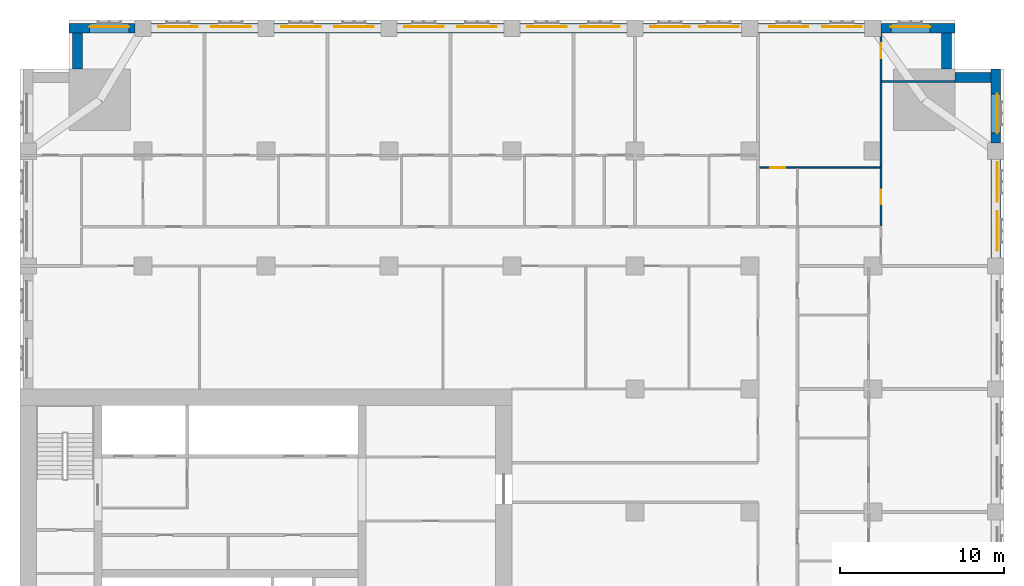
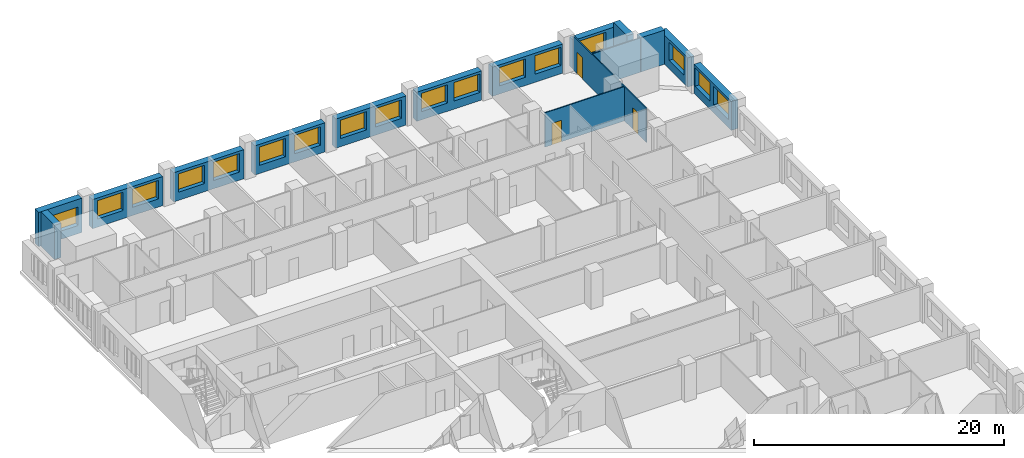
# One storey, part 11 of 14: 17 windows, 16 walls, 3 doors, 20 openings.
"""IFC4 building model written with IfcOpenShell, lengths in metres."""

from ifc_helpers import new_model, si_unit, direction, frame, frame_2d, origin, place, context, subcontext, project, spatial, rectangle, extrude, material, layer, layer_set, type_object, element, fill, save


model = new_model("IFC4")

# Units and contexts
model_context = context("Model", 3, precision=1e-05, world=origin(), true_north=direction((0.0, 1.0)))
body_context = subcontext(model_context, "Body", "Model", "MODEL_VIEW")
ifc_project = project(units=[si_unit("LENGTHUNIT", "METRE"), si_unit("AREAUNIT", "SQUARE_METRE"), si_unit("VOLUMEUNIT", "CUBIC_METRE"), si_unit("PLANEANGLEUNIT", "RADIAN"), si_unit("MASSUNIT", "GRAM", prefix="KILO")], contexts=[model_context])

# Site, building, storey
site_placement = place(None, origin())
site = spatial("IfcSite", under=ifc_project, at=site_placement, CompositionType="ELEMENT")
building_placement = place(site_placement, origin())
building = spatial("IfcBuilding", under=site, at=building_placement, Name="Tamorin Gate", CompositionType="ELEMENT")
storey_placement = place(building_placement, frame((0.0, 0.0, 86.300048828125)))
storey = spatial("IfcBuildingStorey", under=building, at=storey_placement, Name="L20", CompositionType="ELEMENT", Elevation=86.300048828125)

# Wall, openings, windows
ifc_material_1 = material(Name="Precast concrete C40/50", Category="concrete")
ifc_layer_1 = layer(ifc_material_1, 0.60009765625)
ifc_layer_set_1 = layer_set([ifc_layer_1], Name="Precast concrete C40/50")
wall_type_1 = type_object("IfcWallType", Name="Board-marked concrete facade panel 600", PredefinedType="SOLIDWALL", material=ifc_layer_set_1)
wall_1_placement = place(storey_placement, frame((89.5, 90.5, 0.0), z_axis=(0.0, 0.0, 1.0), x_axis=(0.0, 1.0, 0.0)))
wall_1 = element("IfcWall", 1, at=wall_1_placement, inside=storey, type_object=wall_type_1, Name="Facade panel", PredefinedType="SOLIDWALL", context=body_context, shape_type="SweptSolid", body=[
    extrude(rectangle(XDim=6.0, YDim=0.60009765625, at=frame_2d((3.0, 0.0))), origin(), (0.0, 0.0, 1.0), 2.849853515625),
])
opening_1_placement = place(wall_1_placement, frame((0.425048828125, 0.0, 0.800048828125)))
opening_1 = element("IfcOpeningElement", 2, at=opening_1_placement, cuts=wall_1, Name="Opening WN1", PredefinedType="OPENING", context=body_context, shape_type="SweptSolid", body=[
    extrude(rectangle(XDim=2.39990234375, YDim=1.800048828125, at=frame_2d((1.199951171875, 0.89990234375))), frame((0.0, 0.31005859375, 0.0), z_axis=(0.0, -1.0, 0.0), x_axis=(1.0, 0.0, 0.0)), (0.0, 0.0, 1.0), 0.6201171875),
])
opening_2_placement = place(wall_1_placement, frame((3.425048828125, 0.0, 0.800048828125)))
opening_2 = element("IfcOpeningElement", 3, at=opening_2_placement, cuts=wall_1, Name="Opening WN1", PredefinedType="OPENING", context=body_context, shape_type="SweptSolid", body=[
    extrude(rectangle(XDim=2.39990234375, YDim=1.800048828125, at=frame_2d((1.199951171875, 0.89990234375))), frame((0.0, 0.31005859375, 0.0), z_axis=(0.0, -1.0, 0.0), x_axis=(1.0, 0.0, 0.0)), (0.0, 0.0, 1.0), 0.6201171875),
])
ifc_material_2 = material(Name="Clear glass in aluminium frame", Category="aluminium")
window_type = type_object("IfcWindowType", Name="Deep-set window 2400x1800", PartitioningType="SINGLE_PANEL", PredefinedType="WINDOW", material=ifc_material_2)
window_1_placement = place(opening_1_placement, origin())
window_1 = element("IfcWindow", 4, at=window_1_placement, inside=storey, type_object=window_type, Name="Deep-set window", OverallHeight=1.800048828125, OverallWidth=2.39990234375, PartitioningType="SINGLE_PANEL", PredefinedType="WINDOW", context=body_context, shape_type="SweptSolid", body=[
    extrude(rectangle(XDim=2.39990234375, YDim=1.800048828125, at=frame_2d((1.199951171875, 0.89990234375))), frame((0.0, -0.070068359375, 0.0), z_axis=(0.0, -1.0, 0.0), x_axis=(1.0, 0.0, 0.0)), (0.0, 0.0, 1.0), 0.06005859375),
])
fill(opening_1, window_1)
window_2_placement = place(opening_2_placement, origin())
window_2 = element("IfcWindow", 5, at=window_2_placement, inside=storey, type_object=window_type, Name="Deep-set window", OverallHeight=1.800048828125, OverallWidth=2.39990234375, PartitioningType="SINGLE_PANEL", PredefinedType="WINDOW", context=body_context, shape_type="SweptSolid", body=[
    extrude(rectangle(XDim=2.39990234375, YDim=1.800048828125, at=frame_2d((1.199951171875, 0.89990234375))), frame((0.0, -0.070068359375, 0.0), z_axis=(0.0, -1.0, 0.0), x_axis=(1.0, 0.0, 0.0)), (0.0, 0.0, 1.0), 0.06005859375),
])
fill(opening_2, window_2)

# Wall, opening, window
wall_2_placement = place(storey_placement, frame((89.5, 97.5, 0.0), z_axis=(0.0, 0.0, 1.0), x_axis=(0.0, 1.0, 0.0)))
wall_2 = element("IfcWall", 6, at=wall_2_placement, inside=storey, type_object=wall_type_1, Name="Facade panel", PredefinedType="SOLIDWALL", context=body_context, shape_type="SweptSolid", body=[
    extrude(rectangle(XDim=4.5, YDim=0.60009765625, at=frame_2d((2.25, 0.0))), origin(), (0.0, 0.0, 1.0), 2.849853515625),
])
opening_3_placement = place(wall_2_placement, frame((0.60009765625, 0.0, 0.800048828125)))
opening_3 = element("IfcOpeningElement", 7, at=opening_3_placement, cuts=wall_2, Name="Opening WN1", PredefinedType="OPENING", context=body_context, shape_type="SweptSolid", body=[
    extrude(rectangle(XDim=2.39990234375, YDim=1.800048828125, at=frame_2d((1.199951171875, 0.89990234375))), frame((0.0, 0.31005859375, 0.0), z_axis=(0.0, -1.0, 0.0), x_axis=(1.0, 0.0, 0.0)), (0.0, 0.0, 1.0), 0.6201171875),
])
window_3_placement = place(opening_3_placement, origin())
window_3 = element("IfcWindow", 8, at=window_3_placement, inside=storey, type_object=window_type, Name="Deep-set window", OverallHeight=1.800048828125, OverallWidth=2.39990234375, PartitioningType="SINGLE_PANEL", PredefinedType="WINDOW", context=body_context, shape_type="SweptSolid", body=[
    extrude(rectangle(XDim=2.39990234375, YDim=1.800048828125, at=frame_2d((1.199951171875, 0.89990234375))), frame((0.0, -0.070068359375, 0.0), z_axis=(0.0, -1.0, 0.0), x_axis=(1.0, 0.0, 0.0)), (0.0, 0.0, 1.0), 0.06005859375),
])
fill(opening_3, window_3)

# Walls
for number, where, z_axis, x_axis, name in (
    (9, (89.199951171875, 101.5, 0.0), (0.0, 0.0, 1.0), (-1.0, 0.0, 0.0), "Facade panel"),
    (10, (86.5, 102.0, 0.0), (0.0, 0.0, 1.0), (0.0, 1.0, 0.0), "Facade panel"),
):
    element("IfcWall", number, at=place(storey_placement, frame(where, z_axis=z_axis, x_axis=x_axis)), inside=storey, type_object=wall_type_1, Name=name, PredefinedType="SOLIDWALL", context=body_context, shape_type="SweptSolid", body=[
        extrude(rectangle(XDim=2.199951171875, YDim=0.60009765625, at=frame_2d((1.10009765625, 0.0))), origin(), (0.0, 0.0, 1.0), 3.349853515625),
    ])

# Wall, opening, window
wall_3_placement = place(storey_placement, frame((87.0, 104.5, 0.0), z_axis=(0.0, 0.0, 1.0), x_axis=(-1.0, 0.0, 0.0)))
wall_3 = element("IfcWall", 11, at=wall_3_placement, inside=storey, type_object=wall_type_1, Name="Facade panel", PredefinedType="SOLIDWALL", context=body_context, shape_type="SweptSolid", body=[
    extrude(rectangle(XDim=4.5, YDim=0.60009765625, at=frame_2d((2.25, 0.0))), origin(), (0.0, 0.0, 1.0), 2.849853515625),
])
opening_4_placement = place(wall_3_placement, frame((1.5, 0.0, 0.800048828125)))
opening_4 = element("IfcOpeningElement", 12, at=opening_4_placement, cuts=wall_3, Name="Opening WN1", PredefinedType="OPENING", context=body_context, shape_type="SweptSolid", body=[
    extrude(rectangle(XDim=2.39990234375, YDim=1.800048828125, at=frame_2d((1.199951171875, 0.89990234375))), frame((0.0, 0.31005859375, 0.0), z_axis=(0.0, -1.0, 0.0), x_axis=(1.0, 0.0, 0.0)), (0.0, 0.0, 1.0), 0.6201171875),
])
window_4_placement = place(opening_4_placement, origin())
window_4 = element("IfcWindow", 13, at=window_4_placement, inside=storey, type_object=window_type, Name="Deep-set window", OverallHeight=1.800048828125, OverallWidth=2.39990234375, PartitioningType="SINGLE_PANEL", PredefinedType="WINDOW", context=body_context, shape_type="SweptSolid", body=[
    extrude(rectangle(XDim=2.39990234375, YDim=1.800048828125, at=frame_2d((1.199951171875, 0.89990234375))), frame((0.0, -0.070068359375, 0.0), z_axis=(0.0, -1.0, 0.0), x_axis=(1.0, 0.0, 0.0)), (0.0, 0.0, 1.0), 0.06005859375),
])
fill(opening_4, window_4)

# Wall, openings, windows
wall_4_placement = place(storey_placement, frame((81.5, 104.5, 0.0), z_axis=(0.0, 0.0, 1.0), x_axis=(-1.0, 0.0, 0.0)))
wall_4 = element("IfcWall", 14, at=wall_4_placement, inside=storey, type_object=wall_type_1, Name="Facade panel", PredefinedType="SOLIDWALL", context=body_context, shape_type="SweptSolid", body=[
    extrude(rectangle(XDim=6.5, YDim=0.60009765625, at=frame_2d((3.25, 0.0))), origin(), (0.0, 0.0, 1.0), 2.849853515625),
])
opening_5_placement = place(wall_4_placement, frame((3.425048828125, 0.0, 0.800048828125)))
opening_5 = element("IfcOpeningElement", 15, at=opening_5_placement, cuts=wall_4, Name="Opening WN1", PredefinedType="OPENING", context=body_context, shape_type="SweptSolid", body=[
    extrude(rectangle(XDim=2.39990234375, YDim=1.800048828125, at=frame_2d((1.199951171875, 0.89990234375))), frame((0.0, 0.31005859375, 0.0), z_axis=(0.0, -1.0, 0.0), x_axis=(1.0, 0.0, 0.0)), (0.0, 0.0, 1.0), 0.6201171875),
])
opening_6_placement = place(wall_4_placement, frame((0.175048828125, 0.0, 0.800048828125)))
opening_6 = element("IfcOpeningElement", 16, at=opening_6_placement, cuts=wall_4, Name="Opening WN1", PredefinedType="OPENING", context=body_context, shape_type="SweptSolid", body=[
    extrude(rectangle(XDim=2.39990234375, YDim=1.800048828125, at=frame_2d((1.199951171875, 0.89990234375))), frame((0.0, 0.31005859375, 0.0), z_axis=(0.0, -1.0, 0.0), x_axis=(1.0, 0.0, 0.0)), (0.0, 0.0, 1.0), 0.6201171875),
])
window_5_placement = place(opening_5_placement, origin())
window_5 = element("IfcWindow", 17, at=window_5_placement, inside=storey, type_object=window_type, Name="Deep-set window", OverallHeight=1.800048828125, OverallWidth=2.39990234375, PartitioningType="SINGLE_PANEL", PredefinedType="WINDOW", context=body_context, shape_type="SweptSolid", body=[
    extrude(rectangle(XDim=2.39990234375, YDim=1.800048828125, at=frame_2d((1.199951171875, 0.89990234375))), frame((0.0, -0.070068359375, 0.0), z_axis=(0.0, -1.0, 0.0), x_axis=(1.0, 0.0, 0.0)), (0.0, 0.0, 1.0), 0.06005859375),
])
fill(opening_5, window_5)
window_6_placement = place(opening_6_placement, origin())
window_6 = element("IfcWindow", 18, at=window_6_placement, inside=storey, type_object=window_type, Name="Deep-set window", OverallHeight=1.800048828125, OverallWidth=2.39990234375, PartitioningType="SINGLE_PANEL", PredefinedType="WINDOW", context=body_context, shape_type="SweptSolid", body=[
    extrude(rectangle(XDim=2.39990234375, YDim=1.800048828125, at=frame_2d((1.199951171875, 0.89990234375))), frame((0.0, -0.070068359375, 0.0), z_axis=(0.0, -1.0, 0.0), x_axis=(1.0, 0.0, 0.0)), (0.0, 0.0, 1.0), 0.06005859375),
])
fill(opening_6, window_6)

wall_5_placement = place(storey_placement, frame((74.0, 104.5, 0.0), z_axis=(0.0, 0.0, 1.0), x_axis=(-1.0, 0.0, 0.0)))
wall_5 = element("IfcWall", 19, at=wall_5_placement, inside=storey, type_object=wall_type_1, Name="Facade panel", PredefinedType="SOLIDWALL", context=body_context, shape_type="SweptSolid", body=[
    extrude(rectangle(XDim=6.0, YDim=0.60009765625, at=frame_2d((3.0, 0.0))), origin(), (0.0, 0.0, 1.0), 2.849853515625),
])
opening_7_placement = place(wall_5_placement, frame((3.175048828125, 0.0, 0.800048828125)))
opening_7 = element("IfcOpeningElement", 20, at=opening_7_placement, cuts=wall_5, Name="Opening WN1", PredefinedType="OPENING", context=body_context, shape_type="SweptSolid", body=[
    extrude(rectangle(XDim=2.39990234375, YDim=1.800048828125, at=frame_2d((1.199951171875, 0.89990234375))), frame((0.0, 0.31005859375, 0.0), z_axis=(0.0, -1.0, 0.0), x_axis=(1.0, 0.0, 0.0)), (0.0, 0.0, 1.0), 0.6201171875),
])
opening_8_placement = place(wall_5_placement, frame((0.175048828125, 0.0, 0.800048828125)))
opening_8 = element("IfcOpeningElement", 21, at=opening_8_placement, cuts=wall_5, Name="Opening WN1", PredefinedType="OPENING", context=body_context, shape_type="SweptSolid", body=[
    extrude(rectangle(XDim=2.39990234375, YDim=1.800048828125, at=frame_2d((1.199951171875, 0.89990234375))), frame((0.0, 0.31005859375, 0.0), z_axis=(0.0, -1.0, 0.0), x_axis=(1.0, 0.0, 0.0)), (0.0, 0.0, 1.0), 0.6201171875),
])
window_7_placement = place(opening_7_placement, origin())
window_7 = element("IfcWindow", 22, at=window_7_placement, inside=storey, type_object=window_type, Name="Deep-set window", OverallHeight=1.800048828125, OverallWidth=2.39990234375, PartitioningType="SINGLE_PANEL", PredefinedType="WINDOW", context=body_context, shape_type="SweptSolid", body=[
    extrude(rectangle(XDim=2.39990234375, YDim=1.800048828125, at=frame_2d((1.199951171875, 0.89990234375))), frame((0.0, -0.070068359375, 0.0), z_axis=(0.0, -1.0, 0.0), x_axis=(1.0, 0.0, 0.0)), (0.0, 0.0, 1.0), 0.06005859375),
])
fill(opening_7, window_7)
window_8_placement = place(opening_8_placement, origin())
window_8 = element("IfcWindow", 23, at=window_8_placement, inside=storey, type_object=window_type, Name="Deep-set window", OverallHeight=1.800048828125, OverallWidth=2.39990234375, PartitioningType="SINGLE_PANEL", PredefinedType="WINDOW", context=body_context, shape_type="SweptSolid", body=[
    extrude(rectangle(XDim=2.39990234375, YDim=1.800048828125, at=frame_2d((1.199951171875, 0.89990234375))), frame((0.0, -0.070068359375, 0.0), z_axis=(0.0, -1.0, 0.0), x_axis=(1.0, 0.0, 0.0)), (0.0, 0.0, 1.0), 0.06005859375),
])
fill(opening_8, window_8)

wall_6_placement = place(storey_placement, frame((67.0, 104.5, 0.0), z_axis=(0.0, 0.0, 1.0), x_axis=(-1.0, 0.0, 0.0)))
wall_6 = element("IfcWall", 24, at=wall_6_placement, inside=storey, type_object=wall_type_1, Name="Facade panel", PredefinedType="SOLIDWALL", context=body_context, shape_type="SweptSolid", body=[
    extrude(rectangle(XDim=6.5, YDim=0.60009765625, at=frame_2d((3.25, 0.0))), origin(), (0.0, 0.0, 1.0), 2.849853515625),
])
opening_9_placement = place(wall_6_placement, frame((3.675048828125, 0.0, 0.800048828125)))
opening_9 = element("IfcOpeningElement", 25, at=opening_9_placement, cuts=wall_6, Name="Opening WN1", PredefinedType="OPENING", context=body_context, shape_type="SweptSolid", body=[
    extrude(rectangle(XDim=2.39990234375, YDim=1.800048828125, at=frame_2d((1.199951171875, 0.89990234375))), frame((0.0, 0.31005859375, 0.0), z_axis=(0.0, -1.0, 0.0), x_axis=(1.0, 0.0, 0.0)), (0.0, 0.0, 1.0), 0.6201171875),
])
opening_10_placement = place(wall_6_placement, frame((0.425048828125, 0.0, 0.800048828125)))
opening_10 = element("IfcOpeningElement", 26, at=opening_10_placement, cuts=wall_6, Name="Opening WN1", PredefinedType="OPENING", context=body_context, shape_type="SweptSolid", body=[
    extrude(rectangle(XDim=2.39990234375, YDim=1.800048828125, at=frame_2d((1.199951171875, 0.89990234375))), frame((0.0, 0.31005859375, 0.0), z_axis=(0.0, -1.0, 0.0), x_axis=(1.0, 0.0, 0.0)), (0.0, 0.0, 1.0), 0.6201171875),
])
window_9_placement = place(opening_9_placement, origin())
window_9 = element("IfcWindow", 27, at=window_9_placement, inside=storey, type_object=window_type, Name="Deep-set window", OverallHeight=1.800048828125, OverallWidth=2.39990234375, PartitioningType="SINGLE_PANEL", PredefinedType="WINDOW", context=body_context, shape_type="SweptSolid", body=[
    extrude(rectangle(XDim=2.39990234375, YDim=1.800048828125, at=frame_2d((1.199951171875, 0.89990234375))), frame((0.0, -0.070068359375, 0.0), z_axis=(0.0, -1.0, 0.0), x_axis=(1.0, 0.0, 0.0)), (0.0, 0.0, 1.0), 0.06005859375),
])
fill(opening_9, window_9)
window_10_placement = place(opening_10_placement, origin())
window_10 = element("IfcWindow", 28, at=window_10_placement, inside=storey, type_object=window_type, Name="Deep-set window", OverallHeight=1.800048828125, OverallWidth=2.39990234375, PartitioningType="SINGLE_PANEL", PredefinedType="WINDOW", context=body_context, shape_type="SweptSolid", body=[
    extrude(rectangle(XDim=2.39990234375, YDim=1.800048828125, at=frame_2d((1.199951171875, 0.89990234375))), frame((0.0, -0.070068359375, 0.0), z_axis=(0.0, -1.0, 0.0), x_axis=(1.0, 0.0, 0.0)), (0.0, 0.0, 1.0), 0.06005859375),
])
fill(opening_10, window_10)

wall_7_placement = place(storey_placement, frame((59.5, 104.5, 0.0), z_axis=(0.0, 0.0, 1.0), x_axis=(-1.0, 0.0, 0.0)))
wall_7 = element("IfcWall", 29, at=wall_7_placement, inside=storey, type_object=wall_type_1, Name="Facade panel", PredefinedType="SOLIDWALL", context=body_context, shape_type="SweptSolid", body=[
    extrude(rectangle(XDim=6.5, YDim=0.60009765625, at=frame_2d((3.25, 0.0))), origin(), (0.0, 0.0, 1.0), 2.849853515625),
])
opening_11_placement = place(wall_7_placement, frame((3.675048828125, 0.0, 0.800048828125)))
opening_11 = element("IfcOpeningElement", 30, at=opening_11_placement, cuts=wall_7, Name="Opening WN1", PredefinedType="OPENING", context=body_context, shape_type="SweptSolid", body=[
    extrude(rectangle(XDim=2.39990234375, YDim=1.800048828125, at=frame_2d((1.199951171875, 0.89990234375))), frame((0.0, 0.31005859375, 0.0), z_axis=(0.0, -1.0, 0.0), x_axis=(1.0, 0.0, 0.0)), (0.0, 0.0, 1.0), 0.6201171875),
])
opening_12_placement = place(wall_7_placement, frame((0.425048828125, 0.0, 0.800048828125)))
opening_12 = element("IfcOpeningElement", 31, at=opening_12_placement, cuts=wall_7, Name="Opening WN1", PredefinedType="OPENING", context=body_context, shape_type="SweptSolid", body=[
    extrude(rectangle(XDim=2.39990234375, YDim=1.800048828125, at=frame_2d((1.199951171875, 0.89990234375))), frame((0.0, 0.31005859375, 0.0), z_axis=(0.0, -1.0, 0.0), x_axis=(1.0, 0.0, 0.0)), (0.0, 0.0, 1.0), 0.6201171875),
])
window_11_placement = place(opening_11_placement, origin())
window_11 = element("IfcWindow", 32, at=window_11_placement, inside=storey, type_object=window_type, Name="Deep-set window", OverallHeight=1.800048828125, OverallWidth=2.39990234375, PartitioningType="SINGLE_PANEL", PredefinedType="WINDOW", context=body_context, shape_type="SweptSolid", body=[
    extrude(rectangle(XDim=2.39990234375, YDim=1.800048828125, at=frame_2d((1.199951171875, 0.89990234375))), frame((0.0, -0.070068359375, 0.0), z_axis=(0.0, -1.0, 0.0), x_axis=(1.0, 0.0, 0.0)), (0.0, 0.0, 1.0), 0.06005859375),
])
fill(opening_11, window_11)
window_12_placement = place(opening_12_placement, origin())
window_12 = element("IfcWindow", 33, at=window_12_placement, inside=storey, type_object=window_type, Name="Deep-set window", OverallHeight=1.800048828125, OverallWidth=2.39990234375, PartitioningType="SINGLE_PANEL", PredefinedType="WINDOW", context=body_context, shape_type="SweptSolid", body=[
    extrude(rectangle(XDim=2.39990234375, YDim=1.800048828125, at=frame_2d((1.199951171875, 0.89990234375))), frame((0.0, -0.070068359375, 0.0), z_axis=(0.0, -1.0, 0.0), x_axis=(1.0, 0.0, 0.0)), (0.0, 0.0, 1.0), 0.06005859375),
])
fill(opening_12, window_12)

wall_8_placement = place(storey_placement, frame((52.0, 104.5, 0.0), z_axis=(0.0, 0.0, 1.0), x_axis=(-1.0, 0.0, 0.0)))
wall_8 = element("IfcWall", 34, at=wall_8_placement, inside=storey, type_object=wall_type_1, Name="Facade panel", PredefinedType="SOLIDWALL", context=body_context, shape_type="SweptSolid", body=[
    extrude(rectangle(XDim=6.5, YDim=0.60009765625, at=frame_2d((3.25, 0.0))), origin(), (0.0, 0.0, 1.0), 2.849853515625),
])
opening_13_placement = place(wall_8_placement, frame((3.675048828125, 0.0, 0.800048828125)))
opening_13 = element("IfcOpeningElement", 35, at=opening_13_placement, cuts=wall_8, Name="Opening WN1", PredefinedType="OPENING", context=body_context, shape_type="SweptSolid", body=[
    extrude(rectangle(XDim=2.39990234375, YDim=1.800048828125, at=frame_2d((1.199951171875, 0.89990234375))), frame((0.0, 0.31005859375, 0.0), z_axis=(0.0, -1.0, 0.0), x_axis=(1.0, 0.0, 0.0)), (0.0, 0.0, 1.0), 0.6201171875),
])
opening_14_placement = place(wall_8_placement, frame((0.425048828125, 0.0, 0.800048828125)))
opening_14 = element("IfcOpeningElement", 36, at=opening_14_placement, cuts=wall_8, Name="Opening WN1", PredefinedType="OPENING", context=body_context, shape_type="SweptSolid", body=[
    extrude(rectangle(XDim=2.39990234375, YDim=1.800048828125, at=frame_2d((1.199951171875, 0.89990234375))), frame((0.0, 0.31005859375, 0.0), z_axis=(0.0, -1.0, 0.0), x_axis=(1.0, 0.0, 0.0)), (0.0, 0.0, 1.0), 0.6201171875),
])
window_13_placement = place(opening_13_placement, origin())
window_13 = element("IfcWindow", 37, at=window_13_placement, inside=storey, type_object=window_type, Name="Deep-set window", OverallHeight=1.800048828125, OverallWidth=2.39990234375, PartitioningType="SINGLE_PANEL", PredefinedType="WINDOW", context=body_context, shape_type="SweptSolid", body=[
    extrude(rectangle(XDim=2.39990234375, YDim=1.800048828125, at=frame_2d((1.199951171875, 0.89990234375))), frame((0.0, -0.070068359375, 0.0), z_axis=(0.0, -1.0, 0.0), x_axis=(1.0, 0.0, 0.0)), (0.0, 0.0, 1.0), 0.06005859375),
])
fill(opening_13, window_13)
window_14_placement = place(opening_14_placement, origin())
window_14 = element("IfcWindow", 38, at=window_14_placement, inside=storey, type_object=window_type, Name="Deep-set window", OverallHeight=1.800048828125, OverallWidth=2.39990234375, PartitioningType="SINGLE_PANEL", PredefinedType="WINDOW", context=body_context, shape_type="SweptSolid", body=[
    extrude(rectangle(XDim=2.39990234375, YDim=1.800048828125, at=frame_2d((1.199951171875, 0.89990234375))), frame((0.0, -0.070068359375, 0.0), z_axis=(0.0, -1.0, 0.0), x_axis=(1.0, 0.0, 0.0)), (0.0, 0.0, 1.0), 0.06005859375),
])
fill(opening_14, window_14)

wall_9_placement = place(storey_placement, frame((44.5, 104.5, 0.0), z_axis=(0.0, 0.0, 1.0), x_axis=(-1.0, 0.0, 0.0)))
wall_9 = element("IfcWall", 39, at=wall_9_placement, inside=storey, type_object=wall_type_1, Name="Facade panel", PredefinedType="SOLIDWALL", context=body_context, shape_type="SweptSolid", body=[
    extrude(rectangle(XDim=6.5, YDim=0.60009765625, at=frame_2d((3.25, 0.0))), origin(), (0.0, 0.0, 1.0), 2.849853515625),
])
opening_15_placement = place(wall_9_placement, frame((3.675048828125, 0.0, 0.800048828125)))
opening_15 = element("IfcOpeningElement", 40, at=opening_15_placement, cuts=wall_9, Name="Opening WN1", PredefinedType="OPENING", context=body_context, shape_type="SweptSolid", body=[
    extrude(rectangle(XDim=2.39990234375, YDim=1.800048828125, at=frame_2d((1.199951171875, 0.89990234375))), frame((0.0, 0.31005859375, 0.0), z_axis=(0.0, -1.0, 0.0), x_axis=(1.0, 0.0, 0.0)), (0.0, 0.0, 1.0), 0.6201171875),
])
opening_16_placement = place(wall_9_placement, frame((0.425048828125, 0.0, 0.800048828125)))
opening_16 = element("IfcOpeningElement", 41, at=opening_16_placement, cuts=wall_9, Name="Opening WN1", PredefinedType="OPENING", context=body_context, shape_type="SweptSolid", body=[
    extrude(rectangle(XDim=2.39990234375, YDim=1.800048828125, at=frame_2d((1.199951171875, 0.89990234375))), frame((0.0, 0.31005859375, 0.0), z_axis=(0.0, -1.0, 0.0), x_axis=(1.0, 0.0, 0.0)), (0.0, 0.0, 1.0), 0.6201171875),
])
window_15_placement = place(opening_15_placement, origin())
window_15 = element("IfcWindow", 42, at=window_15_placement, inside=storey, type_object=window_type, Name="Deep-set window", OverallHeight=1.800048828125, OverallWidth=2.39990234375, PartitioningType="SINGLE_PANEL", PredefinedType="WINDOW", context=body_context, shape_type="SweptSolid", body=[
    extrude(rectangle(XDim=2.39990234375, YDim=1.800048828125, at=frame_2d((1.199951171875, 0.89990234375))), frame((0.0, -0.070068359375, 0.0), z_axis=(0.0, -1.0, 0.0), x_axis=(1.0, 0.0, 0.0)), (0.0, 0.0, 1.0), 0.06005859375),
])
fill(opening_15, window_15)
window_16_placement = place(opening_16_placement, origin())
window_16 = element("IfcWindow", 43, at=window_16_placement, inside=storey, type_object=window_type, Name="Deep-set window", OverallHeight=1.800048828125, OverallWidth=2.39990234375, PartitioningType="SINGLE_PANEL", PredefinedType="WINDOW", context=body_context, shape_type="SweptSolid", body=[
    extrude(rectangle(XDim=2.39990234375, YDim=1.800048828125, at=frame_2d((1.199951171875, 0.89990234375))), frame((0.0, -0.070068359375, 0.0), z_axis=(0.0, -1.0, 0.0), x_axis=(1.0, 0.0, 0.0)), (0.0, 0.0, 1.0), 0.06005859375),
])
fill(opening_16, window_16)

# Wall, opening, window
wall_10_placement = place(storey_placement, frame((37.0, 104.5, 0.0), z_axis=(0.0, 0.0, 1.0), x_axis=(-1.0, 0.0, 0.0)))
wall_10 = element("IfcWall", 44, at=wall_10_placement, inside=storey, type_object=wall_type_1, Name="Facade panel", PredefinedType="SOLIDWALL", context=body_context, shape_type="SweptSolid", body=[
    extrude(rectangle(XDim=4.0, YDim=0.60009765625, at=frame_2d((2.0, 0.0))), origin(), (0.0, 0.0, 1.0), 3.349853515625),
])
opening_17_placement = place(wall_10_placement, frame((0.35009765625, 0.0, 0.800048828125)))
opening_17 = element("IfcOpeningElement", 45, at=opening_17_placement, cuts=wall_10, Name="Opening WN1", PredefinedType="OPENING", context=body_context, shape_type="SweptSolid", body=[
    extrude(rectangle(XDim=2.39990234375, YDim=1.800048828125, at=frame_2d((1.199951171875, 0.89990234375))), frame((0.0, 0.31005859375, 0.0), z_axis=(0.0, -1.0, 0.0), x_axis=(1.0, 0.0, 0.0)), (0.0, 0.0, 1.0), 0.6201171875),
])
window_17_placement = place(opening_17_placement, origin())
window_17 = element("IfcWindow", 46, at=window_17_placement, inside=storey, type_object=window_type, Name="Deep-set window", OverallHeight=1.800048828125, OverallWidth=2.39990234375, PartitioningType="SINGLE_PANEL", PredefinedType="WINDOW", context=body_context, shape_type="SweptSolid", body=[
    extrude(rectangle(XDim=2.39990234375, YDim=1.800048828125, at=frame_2d((1.199951171875, 0.89990234375))), frame((0.0, -0.070068359375, 0.0), z_axis=(0.0, -1.0, 0.0), x_axis=(1.0, 0.0, 0.0)), (0.0, 0.0, 1.0), 0.06005859375),
])
fill(opening_17, window_17)

# Wall
wall_11_placement = place(storey_placement, frame((33.5, 104.199951171875, 0.0), z_axis=(0.0, 0.0, 1.0), x_axis=(0.0, -1.0, 0.0)))
element("IfcWall", 47, at=wall_11_placement, inside=storey, type_object=wall_type_1, Name="Facade panel", PredefinedType="SOLIDWALL", context=body_context, shape_type="SweptSolid", body=[
    extrude(rectangle(XDim=2.199951171875, YDim=0.60009765625, at=frame_2d((1.10009765625, 0.0))), origin(), (0.0, 0.0, 1.0), 3.349853515625),
])

# Wall, opening, door
ifc_material_3 = material(Name="Gypsum board partition")
ifc_layer_2 = layer(ifc_material_3, 0.10009765625)
ifc_layer_set_2 = layer_set([ifc_layer_2], Name="Room partition 100")
wall_type_2 = type_object("IfcWallType", Name="Room partition 100", PredefinedType="PARTITIONING", material=ifc_layer_set_2)
wall_12_placement = place(storey_placement, frame((75.10009765625, 96.0, 0.0), z_axis=(0.0, 0.0, 1.0), x_axis=(1.0, 0.0, 0.0)))
wall_12 = element("IfcWall", 48, at=wall_12_placement, inside=storey, type_object=wall_type_2, Name="Room partition 100", PredefinedType="PARTITIONING", context=body_context, shape_type="SweptSolid", body=[
    extrude(rectangle(XDim=7.349853515625, YDim=0.10009765625, at=frame_2d((3.6748046875, 0.0))), origin(), (0.0, 0.0, 1.0), 3.349853515625),
])
opening_18_placement = place(wall_12_placement, frame((0.64990234375, 0.0, 0.0)))
opening_18 = element("IfcOpeningElement", 49, at=opening_18_placement, cuts=wall_12, Name="Opening DH7061", PredefinedType="OPENING", context=body_context, shape_type="SweptSolid", body=[
    extrude(rectangle(XDim=0.89990234375, YDim=2.10009765625, at=frame_2d((0.449951171875, 1.050048828125))), frame((0.0, 0.06005859375, 0.0), z_axis=(0.0, -1.0, 0.0), x_axis=(1.0, 0.0, 0.0)), (0.0, 0.0, 1.0), 0.1201171875),
])
ifc_material_4 = material(Name="Timber door leaf", Category="wood")
door_type = type_object("IfcDoorType", Name="Door 900 x 2100", OperationType="NOTDEFINED", PredefinedType="DOOR", material=ifc_material_4)
door_1_placement = place(opening_18_placement, origin())
door_1 = element("IfcDoor", 50, at=door_1_placement, inside=storey, type_object=door_type, Name="Door DH7061", OperationType="SINGLE_SWING_LEFT", OverallHeight=2.10009765625, OverallWidth=0.89990234375, PredefinedType="DOOR", context=body_context, shape_type="SweptSolid", body=[
    extrude(rectangle(XDim=0.89990234375, YDim=2.10009765625, at=frame_2d((0.449951171875, 1.050048828125))), frame((0.0, 0.02490234375, 0.0), z_axis=(0.0, -1.0, 0.0), x_axis=(1.0, 0.0, 0.0)), (0.0, 0.0, 1.0), 0.050048828125),
])
fill(opening_18, door_1)

# Wall
wall_13_placement = place(storey_placement, frame((82.550048828125, 101.25, 0.0), z_axis=(0.0, 0.0, 1.0), x_axis=(1.0, 0.0, 0.0)))
element("IfcWall", 51, at=wall_13_placement, inside=storey, type_object=wall_type_2, Name="Room partition 100", PredefinedType="PARTITIONING", context=body_context, shape_type="SweptSolid", body=[
    extrude(rectangle(XDim=4.43994140625, YDim=0.10009765625, at=frame_2d((2.219970703125, 0.0))), origin(), (0.0, 0.0, 1.0), 3.349853515625),
])

# Wall, openings, doors
wall_14_placement = place(storey_placement, frame((82.5, 92.46240234375, 0.0), z_axis=(0.0, 0.0, 1.0), x_axis=(0.0, 1.0, 0.0)))
wall_14 = element("IfcWall", 52, at=wall_14_placement, inside=storey, type_object=wall_type_2, Name="Room partition 100", PredefinedType="PARTITIONING", context=body_context, shape_type="SweptSolid", body=[
    extrude(rectangle(XDim=11.7275390625, YDim=0.10009765625, at=frame_2d((5.86376953125, 0.0))), origin(), (0.0, 0.0, 1.0), 3.349853515625),
])
opening_19_placement = place(wall_14_placement, frame((10.21240234375, 0.0, 0.0)))
opening_19 = element("IfcOpeningElement", 53, at=opening_19_placement, cuts=wall_14, Name="Opening DH7063", PredefinedType="OPENING", context=body_context, shape_type="SweptSolid", body=[
    extrude(rectangle(XDim=0.89990234375, YDim=2.10009765625, at=frame_2d((0.449951171875, 1.050048828125))), frame((0.0, 0.06005859375, 0.0), z_axis=(0.0, -1.0, 0.0), x_axis=(1.0, 0.0, 0.0)), (0.0, 0.0, 1.0), 0.1201171875),
])
opening_20_placement = place(wall_14_placement, frame((1.28759765625, 0.0, 0.0)))
opening_20 = element("IfcOpeningElement", 54, at=opening_20_placement, cuts=wall_14, Name="Opening DH7064", PredefinedType="OPENING", context=body_context, shape_type="SweptSolid", body=[
    extrude(rectangle(XDim=0.89990234375, YDim=2.10009765625, at=frame_2d((0.449951171875, 1.050048828125))), frame((0.0, 0.06005859375, 0.0), z_axis=(0.0, -1.0, 0.0), x_axis=(1.0, 0.0, 0.0)), (0.0, 0.0, 1.0), 0.1201171875),
])
door_2_placement = place(opening_19_placement, origin())
door_2 = element("IfcDoor", 55, at=door_2_placement, inside=storey, type_object=door_type, Name="Door DH7063", OperationType="SINGLE_SWING_LEFT", OverallHeight=2.10009765625, OverallWidth=0.89990234375, PredefinedType="DOOR", context=body_context, shape_type="SweptSolid", body=[
    extrude(rectangle(XDim=0.89990234375, YDim=2.10009765625, at=frame_2d((0.449951171875, 1.050048828125))), frame((0.0, 0.02490234375, 0.0), z_axis=(0.0, -1.0, 0.0), x_axis=(1.0, 0.0, 0.0)), (0.0, 0.0, 1.0), 0.050048828125),
])
fill(opening_19, door_2)
door_3_placement = place(opening_20_placement, origin())
door_3 = element("IfcDoor", 56, at=door_3_placement, inside=storey, type_object=door_type, Name="Door DH7064", OperationType="SINGLE_SWING_RIGHT", OverallHeight=2.10009765625, OverallWidth=0.89990234375, PredefinedType="DOOR", context=body_context, shape_type="SweptSolid", body=[
    extrude(rectangle(XDim=0.89990234375, YDim=2.10009765625, at=frame_2d((0.449951171875, 1.050048828125))), frame((0.0, 0.02490234375, 0.0), z_axis=(0.0, -1.0, 0.0), x_axis=(1.0, 0.0, 0.0)), (0.0, 0.0, 1.0), 0.050048828125),
])
fill(opening_20, door_3)

save(model, "model.ifc")
